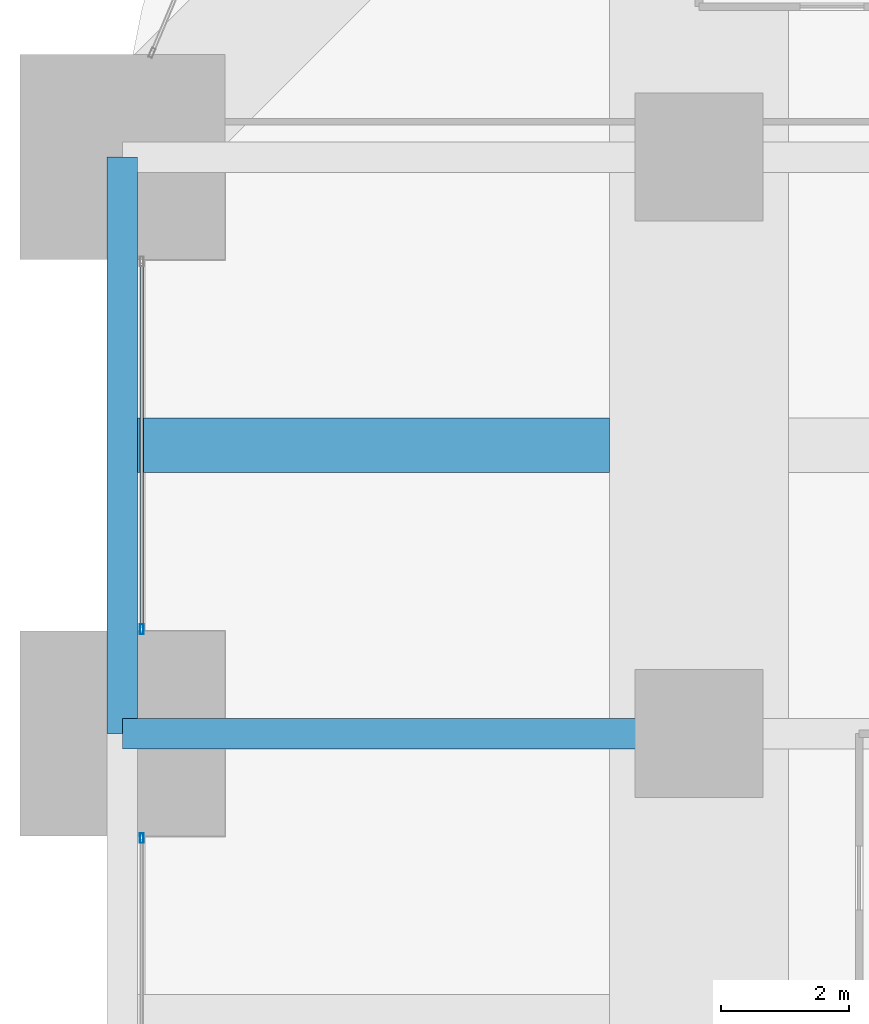
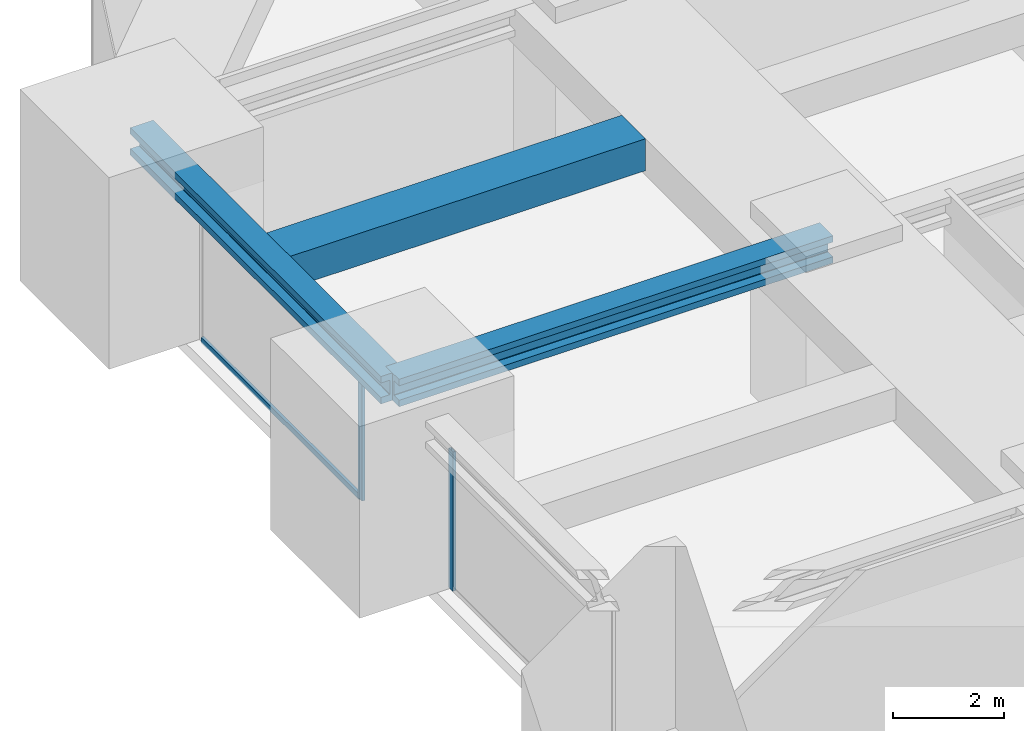
# One storey, part 12 of 45: 3 beams, 3 members, 2 elements without a shape of their own.
"""IFC4 building model written with IfcOpenShell, lengths in metres."""

from ifc_helpers import new_model, si_unit, direction, frame, origin, origin_2d, place, context, subcontext, project, spatial, rectangle, hollow_rectangle, i_section, extrude, material, material_profile, profile_set, type_object, element, aggregate, save


model = new_model("IFC4")

# Units and contexts
model_context = context("Model", 3, precision=1e-05, world=origin(), true_north=direction((0.0, 1.0)))
body_context = subcontext(model_context, "Body", "Model", "MODEL_VIEW")
ifc_project = project(units=[si_unit("LENGTHUNIT", "METRE"), si_unit("AREAUNIT", "SQUARE_METRE"), si_unit("VOLUMEUNIT", "CUBIC_METRE"), si_unit("PLANEANGLEUNIT", "RADIAN"), si_unit("MASSUNIT", "GRAM", prefix="KILO")], contexts=[model_context])

# Site, building, storey
site_placement = place(None, origin())
site = spatial("IfcSite", under=ifc_project, at=site_placement, CompositionType="ELEMENT")
building_placement = place(site_placement, origin())
building = spatial("IfcBuilding", under=site, at=building_placement, Name="Zorevar Civic Tower", CompositionType="ELEMENT")
storey_placement = place(building_placement, frame((0.0, 0.0, 153.0)))
storey = spatial("IfcBuildingStorey", under=building, at=storey_placement, Name="L37", CompositionType="ELEMENT", Elevation=153.0)

# Beams
ifc_material_1 = material(Name="Concrete C50/60", Category="concrete")
ifc_material_profile_1 = material_profile(ifc_material_1, rectangle(XDim=0.85009765625, YDim=0.699951171875, at=origin_2d()), Name="RC 850x700")
ifc_profile_set_1 = profile_set([ifc_material_profile_1], Name="Concrete C50/60")
beam_type_1 = type_object("IfcBeamType", Name="Beam RC 850x700", PredefinedType="BEAM", material=ifc_profile_set_1)
beam_1_placement = place(storey_placement, frame((0.238037109375, 31.5, 3.5), z_axis=(1.0, 0.0, 0.0), x_axis=(0.0, 1.0, 0.0)))
element("IfcBeam", 1, at=beam_1_placement, inside=storey, type_object=beam_type_1, Name="Secondary beam L38", PredefinedType="BEAM", context=body_context, shape_type="SweptSolid", body=[
    extrude(rectangle(XDim=0.85009765625, YDim=0.699951171875, at=origin_2d()), origin(), (0.0, 0.0, 1.0), 7.362060546875),
])
ifc_material_2 = material(Name="Steel S460M (HISTAR 460)", Category="steel")
ifc_material_profile_2 = material_profile(ifc_material_2, i_section(OverallWidth=0.47607421875, OverallDepth=0.60009765625, WebThickness=0.10009765625, FlangeThickness=0.139892578125, FilletRadius=0.014892578125, at=origin_2d()), Name="HD 400x1299")
ifc_profile_set_2 = profile_set([ifc_material_profile_2], Name="Steel S460M (HISTAR 460)")
beam_type_2 = type_object("IfcBeamType", Name="Belt chord HD 400x1299", PredefinedType="BEAM", material=ifc_profile_set_2)
beam_2_placement = place(storey_placement, frame((0.0, 27.0, 3.550048828125), z_axis=(0.0, 1.0, 0.0), x_axis=(-1.0, 0.0, 0.0)))
element("IfcBeam", 2, at=beam_2_placement, inside=storey, type_object=beam_type_2, Name="Belt chord L38", PredefinedType="BEAM", context=body_context, shape_type="SweptSolid", body=[
    extrude(i_section(OverallWidth=0.47607421875, OverallDepth=0.60009765625, WebThickness=0.10009765625, FlangeThickness=0.139892578125, FilletRadius=0.014892578125, at=origin_2d()), origin(), (0.0, 0.0, 1.0), 9.0),
])

# Curtain wall, member
ifc_material_3 = material(Name="Dark grey solar-control glass in black aluminium frame", Category="aluminium")
curtain_wall_type = type_object("IfcCurtainWallType", Name="Curtain wall CW3 mid zone", PredefinedType="NOTDEFINED", material=ifc_material_3)
curtain_wall_1_placement = place(storey_placement, origin())
curtain_wall_1 = element("IfcCurtainWall", 3, at=curtain_wall_1_placement, inside=storey, type_object=curtain_wall_type, Name="CW3 L37", PredefinedType="NOTDEFINED")
ifc_material_4 = material(Name="Aluminium, black anodised", Category="aluminium")
ifc_material_profile_3 = material_profile(ifc_material_4, hollow_rectangle(XDim=0.06005859375, YDim=0.14990234375, WallThickness=0.00390625, at=origin_2d()), Name="AL 150x60x4")
ifc_profile_set_3 = profile_set([ifc_material_profile_3], Name="Aluminium, black anodised")
member_type_1 = type_object("IfcMemberType", Name="CW3 mullion AL 150x60x4", PredefinedType="MULLION", material=ifc_profile_set_3)
member_1_placement = place(storey_placement, frame((0.300048828125, 25.3701171875, 0.0), z_axis=(0.0, 0.0, 1.0), x_axis=(-1.0, 0.0, 0.0)))
member_1 = element("IfcMember", 4, at=member_1_placement, type_object=member_type_1, Name="CW3 mullion 2", PredefinedType="MULLION", context=body_context, shape_type="SweptSolid", body=[
    extrude(hollow_rectangle(XDim=0.06005859375, YDim=0.14990234375, WallThickness=0.00390625, at=origin_2d()), origin(), (0.0, 0.0, 1.0), 3.050048828125),
])
aggregate(curtain_wall_1, [member_1])

# Curtain wall, members
curtain_wall_2_placement = place(storey_placement, origin())
curtain_wall_2 = element("IfcCurtainWall", 5, at=curtain_wall_2_placement, inside=storey, type_object=curtain_wall_type, Name="CW3 L37", PredefinedType="NOTDEFINED")
member_2_placement = place(storey_placement, frame((0.300048828125, 28.6298828125, 0.0), z_axis=(0.0, 0.0, 1.0), x_axis=(-1.0, 0.0, 0.0)))
member_2 = element("IfcMember", 6, at=member_2_placement, type_object=member_type_1, Name="CW3 mullion 1", PredefinedType="MULLION", context=body_context, shape_type="SweptSolid", body=[
    extrude(hollow_rectangle(XDim=0.06005859375, YDim=0.14990234375, WallThickness=0.00390625, at=origin_2d()), origin(), (0.0, 0.0, 1.0), 3.050048828125),
])
ifc_material_5 = material(Name="Aluminium, black anodised", Category="aluminium")
ifc_material_profile_4 = material_profile(ifc_material_5, hollow_rectangle(XDim=0.06005859375, YDim=0.1201171875, WallThickness=0.0029296875, at=origin_2d()), Name="AL 120x60x3")
ifc_profile_set_4 = profile_set([ifc_material_profile_4], Name="Aluminium, black anodised")
member_type_2 = type_object("IfcMemberType", Name="CW3 transom AL 120x60x3", PredefinedType="USERDEFINED", material=ifc_profile_set_4)
member_3_placement = place(storey_placement, frame((0.300048828125, 28.659912109375, 0.030029296875), z_axis=(0.0, 1.0, 0.0), x_axis=(-1.0, 0.0, 0.0)))
member_3 = element("IfcMember", 7, at=member_3_placement, type_object=member_type_2, Name="CW3 sill transom", ObjectType="TRANSOM", PredefinedType="USERDEFINED", context=body_context, shape_type="SweptSolid", body=[
    extrude(hollow_rectangle(XDim=0.06005859375, YDim=0.1201171875, WallThickness=0.0029296875, at=origin_2d()), origin(), (0.0, 0.0, 1.0), 5.68017578125),
])
aggregate(curtain_wall_2, [member_2, member_3])

# Beam
ifc_material_6 = material(Name="Steel S460M (HISTAR 460)", Category="steel")
ifc_material_profile_5 = material_profile(ifc_material_6, i_section(OverallWidth=0.47607421875, OverallDepth=0.60009765625, WebThickness=0.10009765625, FlangeThickness=0.139892578125, FilletRadius=0.014892578125, at=origin_2d()), Name="HD 400x1299")
ifc_profile_set_5 = profile_set([ifc_material_profile_5], Name="Steel S460M (HISTAR 460)")
beam_type_3 = type_object("IfcBeamType", Name="Outrigger chord HD 400x1299", PredefinedType="BEAM", material=ifc_profile_set_5)
beam_3_placement = place(storey_placement, frame((0.0, 27.0, 3.550048828125), z_axis=(1.0, 0.0, 0.0), x_axis=(0.0, 1.0, 0.0)))
element("IfcBeam", 8, at=beam_3_placement, inside=storey, type_object=beam_type_3, Name="Outrigger chord L38", PredefinedType="BEAM", context=body_context, shape_type="SweptSolid", body=[
    extrude(i_section(OverallWidth=0.47607421875, OverallDepth=0.60009765625, WebThickness=0.10009765625, FlangeThickness=0.139892578125, FilletRadius=0.014892578125, at=origin_2d()), origin(), (0.0, 0.0, 1.0), 9.0),
])

save(model, "model.ifc")
